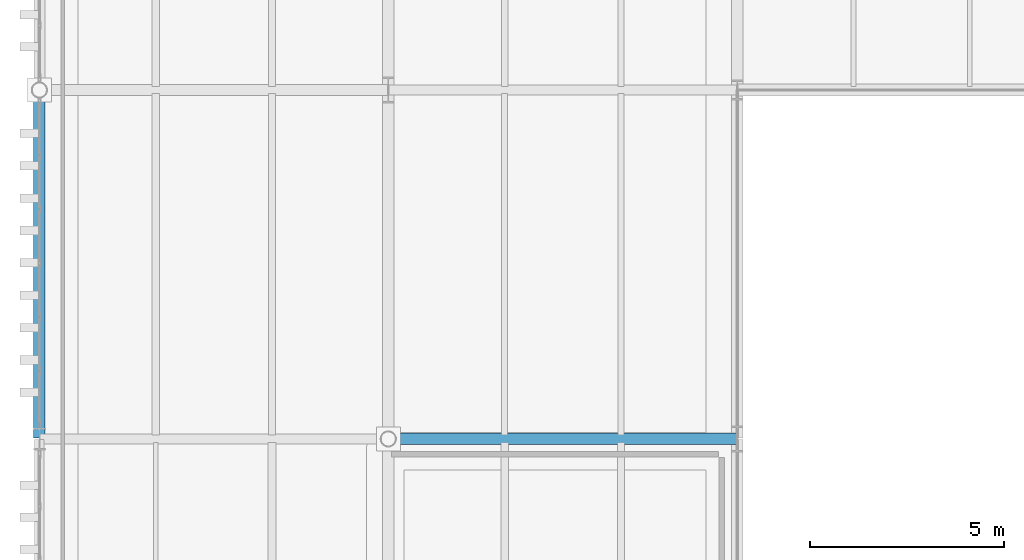
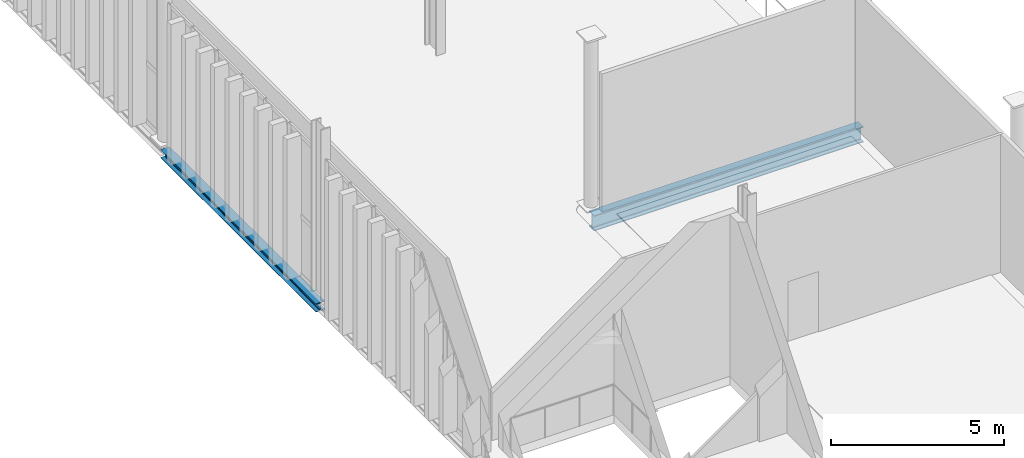
# One storey, part 46 of 211: 2 beams.
"""IFC4 building model written with IfcOpenShell, lengths in metres."""

from ifc_helpers import new_model, si_unit, direction, frame, origin, origin_2d, place, context, subcontext, project, spatial, i_section, extrude, material, material_profile, profile_set, type_object, element, save


model = new_model("IFC4")

# Units and contexts
model_context = context("Model", 3, precision=1e-05, world=origin(), true_north=direction((0.0, 1.0)))
body_context = subcontext(model_context, "Body", "Model", "MODEL_VIEW")
ifc_project = project(units=[si_unit("LENGTHUNIT", "METRE"), si_unit("AREAUNIT", "SQUARE_METRE"), si_unit("VOLUMEUNIT", "CUBIC_METRE"), si_unit("PLANEANGLEUNIT", "RADIAN"), si_unit("MASSUNIT", "GRAM", prefix="KILO")], contexts=[model_context])

# Site, building, storey
site_placement = place(None, origin())
site = spatial("IfcSite", under=ifc_project, at=site_placement, CompositionType="ELEMENT")
building_placement = place(site_placement, origin())
building = spatial("IfcBuilding", under=site, at=building_placement, Name="Barlavento Convention Centre", CompositionType="ELEMENT")
storey_placement = place(building_placement, frame((0.0, 0.0, 6.0)))
storey = spatial("IfcBuildingStorey", under=building, at=storey_placement, Name="L01", CompositionType="ELEMENT", Elevation=6.0)

# Beams
ifc_material = material(Name="Steel S355", Category="steel")
ifc_material_profile_1 = material_profile(ifc_material, i_section(OverallWidth=0.300048828125, OverallDepth=0.550048828125, WebThickness=0.014892578125, FlangeThickness=0.029052734375, FilletRadius=0.027099609375, at=origin_2d()), Name="HEB 550")
ifc_profile_set_1 = profile_set([ifc_material_profile_1], Name="Steel S355")
beam_type_1 = type_object("IfcBeamType", Name="STR-BM-PRI-HEB550", PredefinedType="BEAM", material=ifc_profile_set_1)
beam_1_placement = place(storey_placement, frame((9.02001953125, 36.0, -0.574951171875), z_axis=(1.0, 0.0, 0.0), x_axis=(0.0, 1.0, 0.0)))
element("IfcBeam", 1, at=beam_1_placement, inside=storey, type_object=beam_type_1, Name="L01 primary girder BG08", PredefinedType="BEAM", context=body_context, shape_type="SweptSolid", body=[
    extrude(i_section(OverallWidth=0.300048828125, OverallDepth=0.550048828125, WebThickness=0.014892578125, FlangeThickness=0.029052734375, FilletRadius=0.027099609375, at=origin_2d()), origin(), (0.0, 0.0, 1.0), 8.9599609375),
])
ifc_material_profile_2 = material_profile(ifc_material, i_section(OverallWidth=0.300048828125, OverallDepth=0.2900390625, WebThickness=0.008544921875, FlangeThickness=0.013916015625, FilletRadius=0.027099609375, at=origin_2d()), Name="HEA 300")
ifc_profile_set_2 = profile_set([ifc_material_profile_2], Name="Steel S355")
beam_type_2 = type_object("IfcBeamType", Name="STR-BM-SPN-HEA300", PredefinedType="SPANDREL", material=ifc_profile_set_2)
beam_2_placement = place(storey_placement, frame((0.0, 36.02001953125, -0.445068359375), z_axis=(0.0, 1.0, 0.0), x_axis=(-1.0, 0.0, 0.0)))
element("IfcBeam", 2, at=beam_2_placement, inside=storey, type_object=beam_type_2, Name="L01 grid girder SP02", PredefinedType="SPANDREL", context=body_context, shape_type="SweptSolid", body=[
    extrude(i_section(OverallWidth=0.300048828125, OverallDepth=0.2900390625, WebThickness=0.008544921875, FlangeThickness=0.013916015625, FilletRadius=0.027099609375, at=origin_2d()), origin(), (0.0, 0.0, 1.0), 8.9599609375),
])

save(model, "model.ifc")
